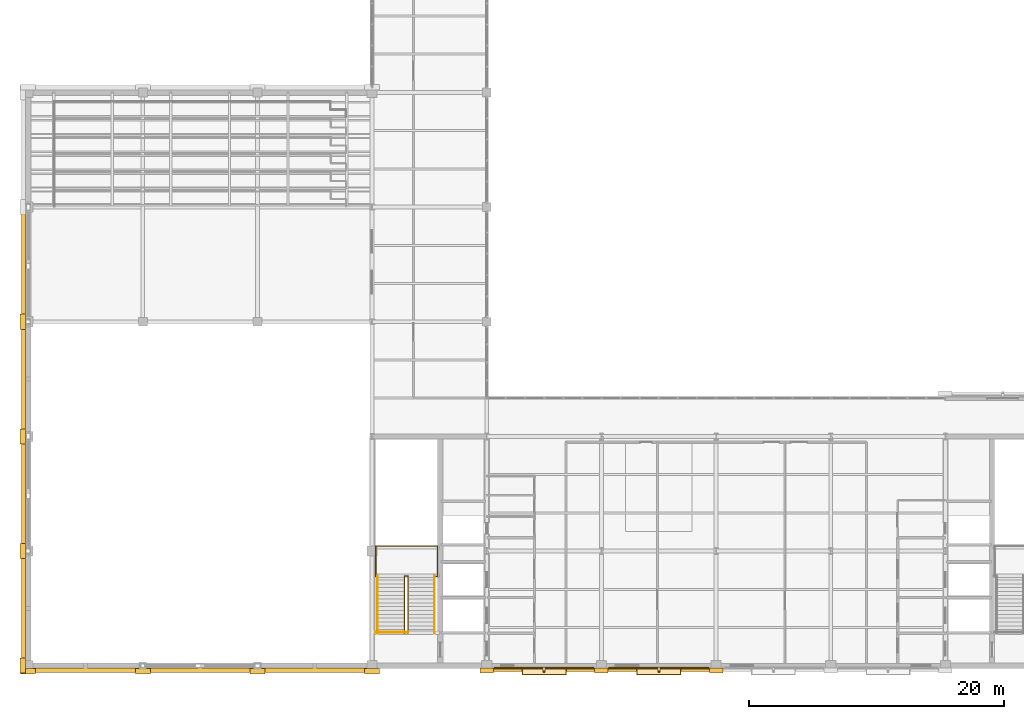
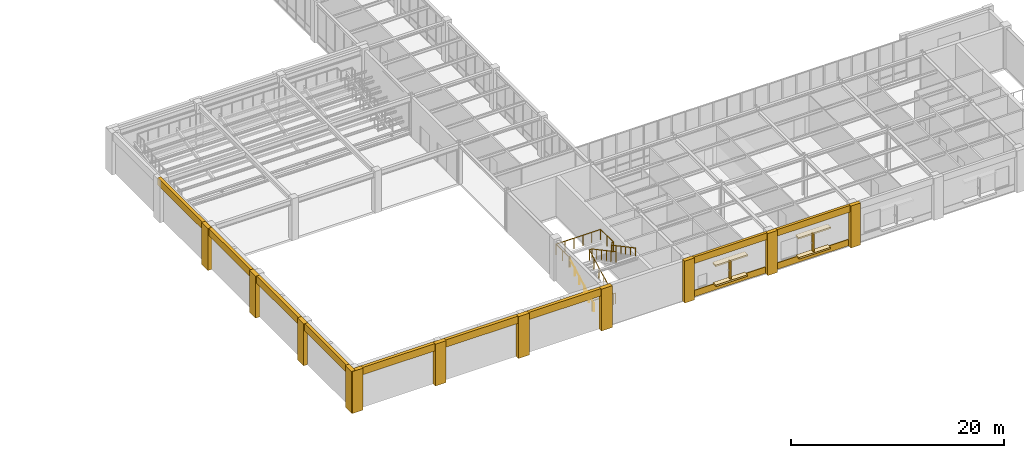
# One storey, part 91 of 98: 26 coverings, 5 railings, 2 shading devices.
"""IFC4 building model written with IfcOpenShell, lengths in metres."""

from ifc_helpers import new_model, si_unit, direction, frame, origin, origin_2d, place, context, subcontext, project, spatial, rectangle, circle, extrude, material, layer, layer_set, type_object, element, save


model = new_model("IFC4")

# Units and contexts
model_context = context("Model", 3, precision=1e-05, world=origin(), true_north=direction((0.0, 1.0)))
body_context = subcontext(model_context, "Body", "Model", "MODEL_VIEW")
ifc_project = project(units=[si_unit("LENGTHUNIT", "METRE"), si_unit("AREAUNIT", "SQUARE_METRE"), si_unit("VOLUMEUNIT", "CUBIC_METRE"), si_unit("PLANEANGLEUNIT", "RADIAN"), si_unit("MASSUNIT", "GRAM", prefix="KILO")], contexts=[model_context])

# Site, building, storey
site_placement = place(None, origin())
site = spatial("IfcSite", under=ifc_project, at=site_placement, CompositionType="ELEMENT")
building_placement = place(site_placement, origin())
building = spatial("IfcBuilding", under=site, at=building_placement, Name="Lykobir Media Centre", CompositionType="ELEMENT")
storey_placement = place(building_placement, frame((0.0, 0.0, 10.199951171875)))
storey = spatial("IfcBuildingStorey", under=building, at=storey_placement, Name="L02", CompositionType="ELEMENT", Elevation=10.199951171875)

# Coverings
ifc_material_1 = material(Name="Glazed Turquoise Terracotta", Category="masonry")
ifc_layer_1 = layer(ifc_material_1, 0.0400390625, Name="Glazed Turquoise Terracotta")
ifc_layer_set_1 = layer_set([ifc_layer_1], Name="Glazed Turquoise Terracotta")
covering_type_1 = type_object("IfcCoveringType", Name="CLD-TERR", PredefinedType="CLADDING", material=ifc_layer_set_1)
for number, where, z_axis, x_axis, name in (
    (1, (40.5, -0.180908203125, 0.080078125), (0.0, 0.0, 1.0), (1.0, 0.0, 0.0), "Facade spandrel apron 310"),
    (2, (49.5, -0.180908203125, 0.080078125), (0.0, 0.0, 1.0), (1.0, 0.0, 0.0), "Facade spandrel apron 315"),
):
    element("IfcCovering", number, at=place(storey_placement, frame(where, z_axis=z_axis, x_axis=x_axis)), inside=storey, type_object=covering_type_1, Name=name, PredefinedType="CLADDING", context=body_context, shape_type="SweptSolid", body=[
        extrude(rectangle(XDim=7.830078125, YDim=0.10009765625, at=origin_2d()), origin(), (0.0, 0.0, 1.0), 0.719970703125),
    ])
ifc_material_2 = material(Name="Honed Travertine Stone", Category="masonry")
ifc_layer_2 = layer(ifc_material_2, 0.050048828125, Name="Honed Travertine Stone")
ifc_layer_set_2 = layer_set([ifc_layer_2], Name="Honed Travertine Stone")
covering_type_2 = type_object("IfcCoveringType", Name="CLD-TRAV", PredefinedType="CLADDING", material=ifc_layer_set_2)
for number, where, z_axis, x_axis, name in (
    (3, (36.0, -0.3798828125, 0.0), (0.0, 0.0, 1.0), (1.0, 0.0, 0.0), "Travertine column pier 307"),
    (4, (45.0, -0.3798828125, 0.0), (0.0, 0.0, 1.0), (1.0, 0.0, 0.0), "Travertine column pier 308"),
):
    element("IfcCovering", number, at=place(storey_placement, frame(where, z_axis=z_axis, x_axis=x_axis)), inside=storey, type_object=covering_type_2, Name=name, PredefinedType="CLADDING", context=body_context, shape_type="SweptSolid", body=[
        extrude(rectangle(XDim=1.06005859375, YDim=0.39990234375, at=origin_2d()), origin(), (0.0, 0.0, 1.0), 4.800048828125),
    ])
covering_1_placement = place(storey_placement, frame((40.5, -0.300048828125, 4.0400390625), z_axis=(0.0, 0.0, 1.0), x_axis=(1.0, 0.0, 0.0)))
element("IfcCovering", 5, at=covering_1_placement, inside=storey, type_object=covering_type_2, Name="Travertine spandrel stringcourse 309", PredefinedType="CLADDING", context=body_context, shape_type="SweptSolid", body=[
    extrude(rectangle(XDim=9.0, YDim=0.280029296875, at=origin_2d()), origin(), (0.0, 0.0, 1.0), 0.760009765625),
])
covering_2_placement = place(storey_placement, frame((40.5, -0.4150390625, 0.77001953125), z_axis=(0.0, 0.0, 1.0), x_axis=(1.0, 0.0, 0.0)))
element("IfcCovering", 6, at=covering_2_placement, inside=storey, type_object=covering_type_2, Name="Ottoman Cumba sill 311", PredefinedType="CLADDING", context=body_context, shape_type="SweptSolid", body=[
    extrude(rectangle(XDim=3.39990234375, YDim=0.52001953125, at=origin_2d()), origin(), (0.0, 0.0, 1.0), 0.179931640625),
])
covering_3_placement = place(storey_placement, frame((40.5, -0.4150390625, 3.08984375), z_axis=(0.0, 0.0, 1.0), x_axis=(1.0, 0.0, 0.0)))
element("IfcCovering", 7, at=covering_3_placement, inside=storey, type_object=covering_type_2, Name="Ottoman Cumba canopy 312", PredefinedType="CLADDING", context=body_context, shape_type="SweptSolid", body=[
    extrude(rectangle(XDim=3.5, YDim=0.60009765625, at=origin_2d()), origin(), (0.0, 0.0, 1.0), 0.179931640625),
])
covering_4_placement = place(storey_placement, frame((54.0, -0.3798828125, 0.0), z_axis=(0.0, 0.0, 1.0), x_axis=(1.0, 0.0, 0.0)))
element("IfcCovering", 8, at=covering_4_placement, inside=storey, type_object=covering_type_2, Name="Travertine column pier 313", PredefinedType="CLADDING", context=body_context, shape_type="SweptSolid", body=[
    extrude(rectangle(XDim=1.06005859375, YDim=0.39990234375, at=origin_2d()), origin(), (0.0, 0.0, 1.0), 4.800048828125),
])
covering_5_placement = place(storey_placement, frame((49.5, -0.300048828125, 4.0400390625), z_axis=(0.0, 0.0, 1.0), x_axis=(1.0, 0.0, 0.0)))
element("IfcCovering", 9, at=covering_5_placement, inside=storey, type_object=covering_type_2, Name="Travertine spandrel stringcourse 314", PredefinedType="CLADDING", context=body_context, shape_type="SweptSolid", body=[
    extrude(rectangle(XDim=9.0, YDim=0.280029296875, at=origin_2d()), origin(), (0.0, 0.0, 1.0), 0.760009765625),
])
covering_6_placement = place(storey_placement, frame((49.5, -0.4150390625, 0.77001953125), z_axis=(0.0, 0.0, 1.0), x_axis=(1.0, 0.0, 0.0)))
element("IfcCovering", 10, at=covering_6_placement, inside=storey, type_object=covering_type_2, Name="Ottoman Cumba sill 316", PredefinedType="CLADDING", context=body_context, shape_type="SweptSolid", body=[
    extrude(rectangle(XDim=3.39990234375, YDim=0.52001953125, at=origin_2d()), origin(), (0.0, 0.0, 1.0), 0.179931640625),
])
covering_7_placement = place(storey_placement, frame((49.5, -0.4150390625, 3.08984375), z_axis=(0.0, 0.0, 1.0), x_axis=(1.0, 0.0, 0.0)))
element("IfcCovering", 11, at=covering_7_placement, inside=storey, type_object=covering_type_2, Name="Ottoman Cumba canopy 317", PredefinedType="CLADDING", context=body_context, shape_type="SweptSolid", body=[
    extrude(rectangle(XDim=3.5, YDim=0.60009765625, at=origin_2d()), origin(), (0.0, 0.0, 1.0), 0.179931640625),
])
covering_8_placement = place(storey_placement, frame((-0.360107421875, 31.5, 3.9599609375), z_axis=(0.0, 0.0, 1.0), x_axis=(0.0, -1.0, 0.0)))
element("IfcCovering", 12, at=covering_8_placement, inside=storey, type_object=covering_type_2, Name="Acoustic hall cornice band 356", PredefinedType="CLADDING", context=body_context, shape_type="SweptSolid", body=[
    extrude(rectangle(XDim=9.0, YDim=0.340087890625, at=origin_2d()), origin(), (0.0, 0.0, 1.0), 0.840087890625),
])
covering_9_placement = place(storey_placement, frame((-0.419921875, 27.0, 0.0), z_axis=(0.0, 0.0, 1.0), x_axis=(0.0, -1.0, 0.0)))
element("IfcCovering", 13, at=covering_9_placement, inside=storey, type_object=covering_type_2, Name="Stone pilaster 358", PredefinedType="CLADDING", context=body_context, shape_type="SweptSolid", body=[
    extrude(rectangle(XDim=1.179931640625, YDim=0.43994140625, at=origin_2d()), origin(), (0.0, 0.0, 1.0), 4.800048828125),
])
covering_10_placement = place(storey_placement, frame((-0.360107421875, 4.5, 3.9599609375), z_axis=(0.0, 0.0, 1.0), x_axis=(0.0, -1.0, 0.0)))
element("IfcCovering", 14, at=covering_10_placement, inside=storey, type_object=covering_type_2, Name="Acoustic hall cornice band 361", PredefinedType="CLADDING", context=body_context, shape_type="SweptSolid", body=[
    extrude(rectangle(XDim=9.0, YDim=0.340087890625, at=origin_2d()), origin(), (0.0, 0.0, 1.0), 0.840087890625),
])
for number, where, z_axis, x_axis, name in (
    (15, (-0.419921875, 9.0, 0.0), (0.0, 0.0, 1.0), (0.0, -1.0, 0.0), "Stone pilaster 362"),
    (16, (-0.419921875, 0.0, 0.0), (0.0, 0.0, 1.0), (0.0, -1.0, 0.0), "Stone pilaster 363"),
):
    element("IfcCovering", number, at=place(storey_placement, frame(where, z_axis=z_axis, x_axis=x_axis)), inside=storey, type_object=covering_type_2, Name=name, PredefinedType="CLADDING", context=body_context, shape_type="SweptSolid", body=[
        extrude(rectangle(XDim=1.179931640625, YDim=0.43994140625, at=origin_2d()), origin(), (0.0, 0.0, 1.0), 4.800048828125),
    ])
covering_11_placement = place(storey_placement, frame((-0.360107421875, 13.5, 3.9599609375), z_axis=(0.0, 0.0, 1.0), x_axis=(0.0, -1.0, 0.0)))
element("IfcCovering", 17, at=covering_11_placement, inside=storey, type_object=covering_type_2, Name="Acoustic hall cornice band 364", PredefinedType="CLADDING", context=body_context, shape_type="SweptSolid", body=[
    extrude(rectangle(XDim=9.0, YDim=0.340087890625, at=origin_2d()), origin(), (0.0, 0.0, 1.0), 0.840087890625),
])
covering_12_placement = place(storey_placement, frame((-0.419921875, 18.0, 0.0), z_axis=(0.0, 0.0, 1.0), x_axis=(0.0, -1.0, 0.0)))
element("IfcCovering", 18, at=covering_12_placement, inside=storey, type_object=covering_type_2, Name="Stone pilaster 365", PredefinedType="CLADDING", context=body_context, shape_type="SweptSolid", body=[
    extrude(rectangle(XDim=1.179931640625, YDim=0.43994140625, at=origin_2d()), origin(), (0.0, 0.0, 1.0), 4.800048828125),
])
for number, where, z_axis, x_axis, name in (
    (19, (-0.360107421875, 22.5, 3.9599609375), (0.0, 0.0, 1.0), (0.0, -1.0, 0.0), "Acoustic hall cornice band 366"),
    (20, (4.5, -0.360107421875, 3.9599609375), (0.0, 0.0, 1.0), (1.0, 0.0, 0.0), "Acoustic hall cornice band 367"),
):
    element("IfcCovering", number, at=place(storey_placement, frame(where, z_axis=z_axis, x_axis=x_axis)), inside=storey, type_object=covering_type_2, Name=name, PredefinedType="CLADDING", context=body_context, shape_type="SweptSolid", body=[
        extrude(rectangle(XDim=9.0, YDim=0.340087890625, at=origin_2d()), origin(), (0.0, 0.0, 1.0), 0.840087890625),
    ])
for number, where, z_axis, x_axis, name in (
    (21, (0.0, -0.419921875, 0.0), (0.0, 0.0, 1.0), (1.0, 0.0, 0.0), "Stone pilaster 368"),
    (22, (9.0, -0.419921875, 0.0), (0.0, 0.0, 1.0), (1.0, 0.0, 0.0), "Stone pilaster 369"),
):
    element("IfcCovering", number, at=place(storey_placement, frame(where, z_axis=z_axis, x_axis=x_axis)), inside=storey, type_object=covering_type_2, Name=name, PredefinedType="CLADDING", context=body_context, shape_type="SweptSolid", body=[
        extrude(rectangle(XDim=1.179931640625, YDim=0.43994140625, at=origin_2d()), origin(), (0.0, 0.0, 1.0), 4.800048828125),
    ])
covering_13_placement = place(storey_placement, frame((13.5, -0.360107421875, 3.9599609375), z_axis=(0.0, 0.0, 1.0), x_axis=(1.0, 0.0, 0.0)))
element("IfcCovering", 23, at=covering_13_placement, inside=storey, type_object=covering_type_2, Name="Acoustic hall cornice band 370", PredefinedType="CLADDING", context=body_context, shape_type="SweptSolid", body=[
    extrude(rectangle(XDim=9.0, YDim=0.340087890625, at=origin_2d()), origin(), (0.0, 0.0, 1.0), 0.840087890625),
])
covering_14_placement = place(storey_placement, frame((18.0, -0.419921875, 0.0), z_axis=(0.0, 0.0, 1.0), x_axis=(1.0, 0.0, 0.0)))
element("IfcCovering", 24, at=covering_14_placement, inside=storey, type_object=covering_type_2, Name="Stone pilaster 371", PredefinedType="CLADDING", context=body_context, shape_type="SweptSolid", body=[
    extrude(rectangle(XDim=1.179931640625, YDim=0.43994140625, at=origin_2d()), origin(), (0.0, 0.0, 1.0), 4.800048828125),
])
covering_15_placement = place(storey_placement, frame((22.5, -0.360107421875, 3.9599609375), z_axis=(0.0, 0.0, 1.0), x_axis=(1.0, 0.0, 0.0)))
element("IfcCovering", 25, at=covering_15_placement, inside=storey, type_object=covering_type_2, Name="Acoustic hall cornice band 372", PredefinedType="CLADDING", context=body_context, shape_type="SweptSolid", body=[
    extrude(rectangle(XDim=9.0, YDim=0.340087890625, at=origin_2d()), origin(), (0.0, 0.0, 1.0), 0.840087890625),
])
covering_16_placement = place(storey_placement, frame((27.0, -0.419921875, 0.0), z_axis=(0.0, 0.0, 1.0), x_axis=(1.0, 0.0, 0.0)))
element("IfcCovering", 26, at=covering_16_placement, inside=storey, type_object=covering_type_2, Name="Stone pilaster 373", PredefinedType="CLADDING", context=body_context, shape_type="SweptSolid", body=[
    extrude(rectangle(XDim=1.179931640625, YDim=0.43994140625, at=origin_2d()), origin(), (0.0, 0.0, 1.0), 4.800048828125),
])

# Railings
ifc_material_3 = material(Name="Steel S355", Category="steel")
railing_type_1 = type_object("IfcRailingType", Name="GR-1200", PredefinedType="BALUSTRADE", material=ifc_material_3)
railing_1_placement = place(storey_placement, frame((27.27001953125, 2.6298828125, 0.0)))
element("IfcRailing", 27, at=railing_1_placement, inside=storey, type_object=railing_type_1, Name="ST-1 L02 arrival well guard", PredefinedType="BALUSTRADE", context=body_context, shape_type="SweptSolid", body=[
    extrude(circle(Radius=0.02392578125, at=origin_2d()), frame((0.0, 0.0, 1.17578125), z_axis=(1.0, 0.0, 0.0), x_axis=(0.0, 1.0, 0.0)), (0.0, 0.0, 1.0), 2.5400390625),
    extrude(circle(Radius=0.02099609375, at=origin_2d()), origin(), (0.0, 0.0, 1.0), 1.15185546875),
    extrude(circle(Radius=0.02099609375, at=origin_2d()), frame((0.8466796875, 0.0, 0.0)), (0.0, 0.0, 1.0), 1.15185546875),
    extrude(circle(Radius=0.02099609375, at=origin_2d()), frame((1.693359375, 0.0, 0.0)), (0.0, 0.0, 1.0), 1.15185546875),
    extrude(circle(Radius=0.02099609375, at=origin_2d()), frame((2.5400390625, 0.0, 0.0)), (0.0, 0.0, 1.0), 1.15185546875),
])
railing_2_placement = place(storey_placement, frame((29.530029296875, 2.530029296875, 0.0)))
element("IfcRailing", 28, at=railing_2_placement, inside=storey, type_object=railing_type_1, Name="ST-1 L02 inner well and slot guard", PredefinedType="BALUSTRADE", context=body_context, shape_type="SweptSolid", body=[
    extrude(circle(Radius=0.02392578125, at=origin_2d()), frame((0.0, 0.0, 1.17578125), z_axis=(0.0, 0.882341014787, 0.470610596591), x_axis=(-1.0, 0.0, 0.0)), (0.0, 0.0, 1.0), 5.10009765625),
    extrude(circle(Radius=0.02392578125, at=origin_2d()), frame((0.0, 4.5, 3.576171875), z_axis=(1.0, 0.0, 0.0), x_axis=(0.0, 1.0, 0.0)), (0.0, 0.0, 1.0), 0.280029296875),
    extrude(circle(Radius=0.02392578125, at=origin_2d()), frame((0.280029296875, 4.5, 3.576171875), z_axis=(0.0, -0.882360891967, 0.470573327259), x_axis=(1.0, 0.0, 0.0)), (0.0, 0.0, 1.0), 5.099853515625),
    extrude(circle(Radius=0.02099609375, at=origin_2d()), origin(), (0.0, 0.0, 1.0), 1.15185546875),
    extrude(circle(Radius=0.02099609375, at=origin_2d()), frame((0.0, 0.89990234375, 0.47998046875)), (0.0, 0.0, 1.0), 1.15185546875),
    extrude(circle(Radius=0.02099609375, at=origin_2d()), frame((0.0, 1.800048828125, 0.9599609375)), (0.0, 0.0, 1.0), 1.15185546875),
    extrude(circle(Radius=0.02099609375, at=origin_2d()), frame((0.0, 2.699951171875, 1.440185546875)), (0.0, 0.0, 1.0), 1.15185546875),
    extrude(circle(Radius=0.02099609375, at=origin_2d()), frame((0.0, 3.60009765625, 1.920166015625)), (0.0, 0.0, 1.0), 1.15185546875),
    extrude(circle(Radius=0.02099609375, at=origin_2d()), frame((0.0, 4.5, 2.400146484375)), (0.0, 0.0, 1.0), 1.15185546875),
    extrude(circle(Radius=0.02099609375, at=origin_2d()), frame((0.280029296875, 4.5, 2.400146484375)), (0.0, 0.0, 1.0), 1.15185546875),
    extrude(circle(Radius=0.02099609375, at=origin_2d()), frame((0.280029296875, 3.60009765625, 2.880126953125)), (0.0, 0.0, 1.0), 1.15185546875),
    extrude(circle(Radius=0.02099609375, at=origin_2d()), frame((0.280029296875, 2.699951171875, 3.360107421875)), (0.0, 0.0, 1.0), 1.15185546875),
    extrude(circle(Radius=0.02099609375, at=origin_2d()), frame((0.280029296875, 1.800048828125, 3.840087890625)), (0.0, 0.0, 1.0), 1.15185546875),
    extrude(circle(Radius=0.02099609375, at=origin_2d()), frame((0.280029296875, 0.89990234375, 4.320068359375)), (0.0, 0.0, 1.0), 1.15185546875),
    extrude(circle(Radius=0.02099609375, at=origin_2d()), frame((0.280029296875, 0.0, 4.800048828125)), (0.0, 0.0, 1.0), 1.15185546875),
])
railing_3_placement = place(storey_placement, frame((27.389892578125, 6.989990234375, 2.400146484375)))
element("IfcRailing", 29, at=railing_3_placement, inside=storey, type_object=railing_type_1, Name="ST-1 L02 half-landing perimeter guard", PredefinedType="BALUSTRADE", context=body_context, shape_type="SweptSolid", body=[
    extrude(circle(Radius=0.02392578125, at=origin_2d()), frame((0.0, 0.0, 1.17578125), z_axis=(-1.0, 0.0, 0.0), x_axis=(0.0, -1.0, 0.0)), (0.0, 0.0, 1.0), 0.10986328125),
    extrude(circle(Radius=0.02392578125, at=origin_2d()), frame((-0.10986328125, 0.0, 1.17578125), z_axis=(0.0, 1.0, 0.0), x_axis=(-1.0, 0.0, 0.0)), (0.0, 0.0, 1.0), 2.39990234375),
    extrude(circle(Radius=0.02392578125, at=origin_2d()), frame((-0.10986328125, 2.39990234375, 1.17578125), z_axis=(1.0, 0.0, 0.0), x_axis=(0.0, 1.0, 0.0)), (0.0, 0.0, 1.0), 4.840087890625),
    extrude(circle(Radius=0.02392578125, at=origin_2d()), frame((4.730224609375, 2.39990234375, 1.17578125), z_axis=(0.0, -1.0, 0.0), x_axis=(1.0, 0.0, 0.0)), (0.0, 0.0, 1.0), 2.39990234375),
    extrude(circle(Radius=0.02392578125, at=origin_2d()), frame((4.730224609375, 0.0, 1.17578125), z_axis=(-1.0, 0.0, 0.0), x_axis=(0.0, -1.0, 0.0)), (0.0, 0.0, 1.0), 0.170166015625),
    extrude(circle(Radius=0.02099609375, at=origin_2d()), origin(), (0.0, 0.0, 1.0), 1.15185546875),
    extrude(circle(Radius=0.02099609375, at=origin_2d()), frame((-0.10986328125, 0.0, 0.0)), (0.0, 0.0, 1.0), 1.15185546875),
    extrude(circle(Radius=0.02099609375, at=origin_2d()), frame((-0.10986328125, 1.199951171875, 0.0)), (0.0, 0.0, 1.0), 1.15185546875),
    extrude(circle(Radius=0.02099609375, at=origin_2d()), frame((-0.10986328125, 2.39990234375, 0.0)), (0.0, 0.0, 1.0), 1.15185546875),
    extrude(circle(Radius=0.02099609375, at=origin_2d()), frame((0.858154296875, 2.39990234375, 0.0)), (0.0, 0.0, 1.0), 1.15185546875),
    extrude(circle(Radius=0.02099609375, at=origin_2d()), frame((1.826171875, 2.39990234375, 0.0)), (0.0, 0.0, 1.0), 1.15185546875),
    extrude(circle(Radius=0.02099609375, at=origin_2d()), frame((2.794189453125, 2.39990234375, 0.0)), (0.0, 0.0, 1.0), 1.15185546875),
    extrude(circle(Radius=0.02099609375, at=origin_2d()), frame((3.76220703125, 2.39990234375, 0.0)), (0.0, 0.0, 1.0), 1.15185546875),
    extrude(circle(Radius=0.02099609375, at=origin_2d()), frame((4.730224609375, 2.39990234375, 0.0)), (0.0, 0.0, 1.0), 1.15185546875),
    extrude(circle(Radius=0.02099609375, at=origin_2d()), frame((4.730224609375, 1.199951171875, 0.0)), (0.0, 0.0, 1.0), 1.15185546875),
    extrude(circle(Radius=0.02099609375, at=origin_2d()), frame((4.730224609375, 0.0, 0.0)), (0.0, 0.0, 1.0), 1.15185546875),
    extrude(circle(Radius=0.02099609375, at=origin_2d()), frame((4.56005859375, 0.0, 0.0)), (0.0, 0.0, 1.0), 1.15185546875),
])
railing_type_2 = type_object("IfcRailingType", Name="HR-0900", PredefinedType="HANDRAIL", material=ifc_material_3)
railing_4_placement = place(storey_placement, frame((27.429931640625, 2.530029296875, 0.0)))
element("IfcRailing", 30, at=railing_4_placement, inside=storey, type_object=railing_type_2, Name="ST-1 L02 F1 wall handrail", PredefinedType="HANDRAIL", context=body_context, shape_type="SweptSolid", body=[
    extrude(circle(Radius=0.02392578125, at=origin_2d()), frame((0.0, 0.0, 0.8759765625), z_axis=(0.0, 0.882341014787, 0.470610596591), x_axis=(-1.0, 0.0, 0.0)), (0.0, 0.0, 1.0), 5.10009765625),
    extrude(circle(Radius=0.02099609375, at=origin_2d()), origin(), (0.0, 0.0, 1.0), 0.851806640625),
    extrude(circle(Radius=0.02099609375, at=origin_2d()), frame((0.0, 0.89990234375, 0.47998046875)), (0.0, 0.0, 1.0), 0.851806640625),
    extrude(circle(Radius=0.02099609375, at=origin_2d()), frame((0.0, 1.800048828125, 0.9599609375)), (0.0, 0.0, 1.0), 0.851806640625),
    extrude(circle(Radius=0.02099609375, at=origin_2d()), frame((0.0, 2.699951171875, 1.440185546875)), (0.0, 0.0, 1.0), 0.851806640625),
    extrude(circle(Radius=0.02099609375, at=origin_2d()), frame((0.0, 3.60009765625, 1.920166015625)), (0.0, 0.0, 1.0), 0.851806640625),
    extrude(circle(Radius=0.02099609375, at=origin_2d()), frame((0.0, 4.5, 2.400146484375)), (0.0, 0.0, 1.0), 0.851806640625),
])
railing_5_placement = place(storey_placement, frame((31.909912109375, 7.030029296875, 2.400146484375)))
element("IfcRailing", 31, at=railing_5_placement, inside=storey, type_object=railing_type_2, Name="ST-1 L02 F2 wall handrail", PredefinedType="HANDRAIL", context=body_context, shape_type="SweptSolid", body=[
    extrude(circle(Radius=0.02392578125, at=origin_2d()), frame((0.0, 0.0, 0.8759765625), z_axis=(0.0, -0.882360891967, 0.470573327259), x_axis=(1.0, 0.0, 0.0)), (0.0, 0.0, 1.0), 5.099853515625),
    extrude(circle(Radius=0.02099609375, at=origin_2d()), origin(), (0.0, 0.0, 1.0), 0.851806640625),
    extrude(circle(Radius=0.02099609375, at=origin_2d()), frame((0.0, -0.89990234375, 0.47998046875)), (0.0, 0.0, 1.0), 0.851806640625),
    extrude(circle(Radius=0.02099609375, at=origin_2d()), frame((0.0, -1.800048828125, 0.9599609375)), (0.0, 0.0, 1.0), 0.851806640625),
    extrude(circle(Radius=0.02099609375, at=origin_2d()), frame((0.0, -2.699951171875, 1.43994140625)), (0.0, 0.0, 1.0), 0.851806640625),
    extrude(circle(Radius=0.02099609375, at=origin_2d()), frame((0.0, -3.60009765625, 1.919921875)), (0.0, 0.0, 1.0), 0.851806640625),
    extrude(circle(Radius=0.02099609375, at=origin_2d()), frame((0.0, -4.5, 2.39990234375)), (0.0, 0.0, 1.0), 0.851806640625),
])

# Shading devices
shading_device_type = type_object("IfcShadingDeviceType", Name="SHD-FIN", PredefinedType="USERDEFINED", material=ifc_material_1)
for number, where, z_axis, x_axis, name in (
    (32, (40.5, -0.3349609375, 0.72509765625), (0.0, 0.0, 1.0), (1.0, 0.0, 0.0), "Terracotta shading fin 1"),
    (33, (49.5, -0.3349609375, 0.72509765625), (0.0, 0.0, 1.0), (1.0, 0.0, 0.0), "Terracotta shading fin 2"),
):
    element("IfcShadingDevice", number, at=place(storey_placement, frame(where, z_axis=z_axis, x_axis=x_axis)), inside=storey, type_object=shading_device_type, Name=name, ObjectType="FIN", PredefinedType="USERDEFINED", context=body_context, shape_type="SweptSolid", body=[
        extrude(rectangle(XDim=0.1201171875, YDim=0.35009765625, at=origin_2d()), origin(), (0.0, 0.0, 1.0), 2.25),
    ])

save(model, "model.ifc")
